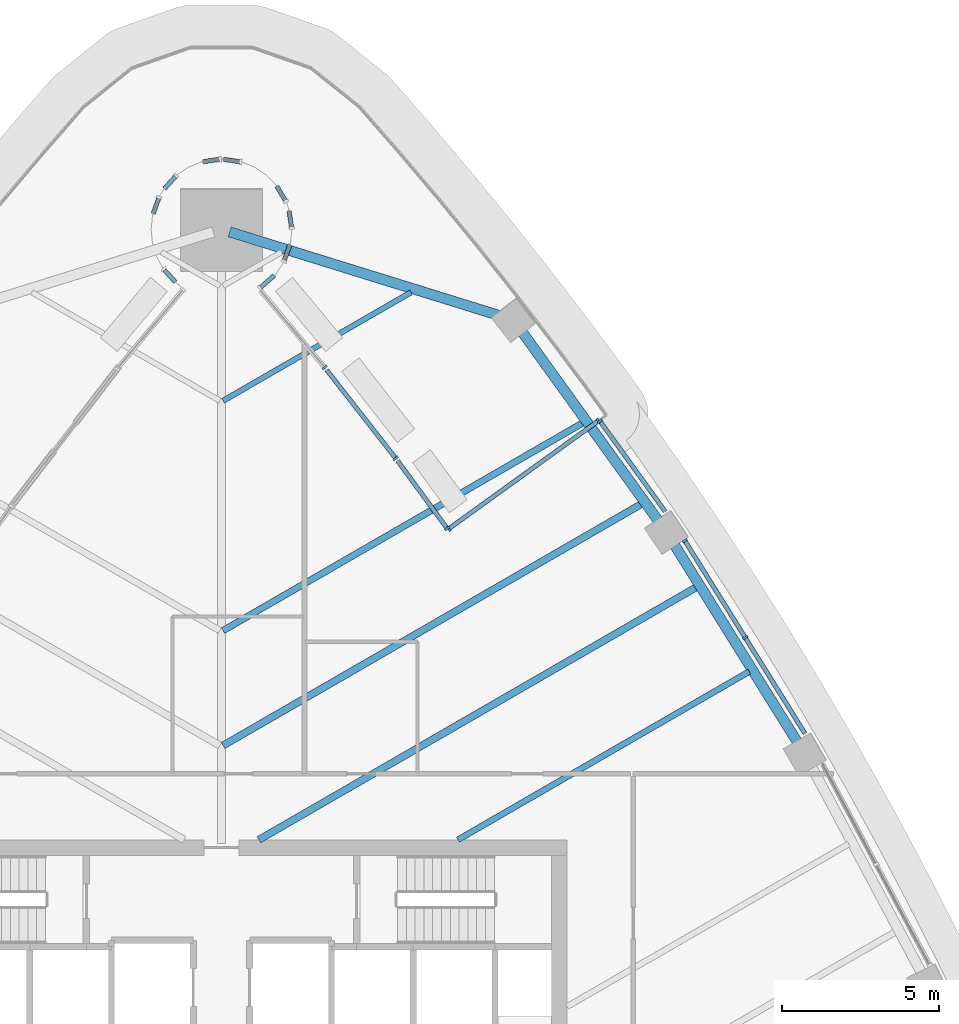
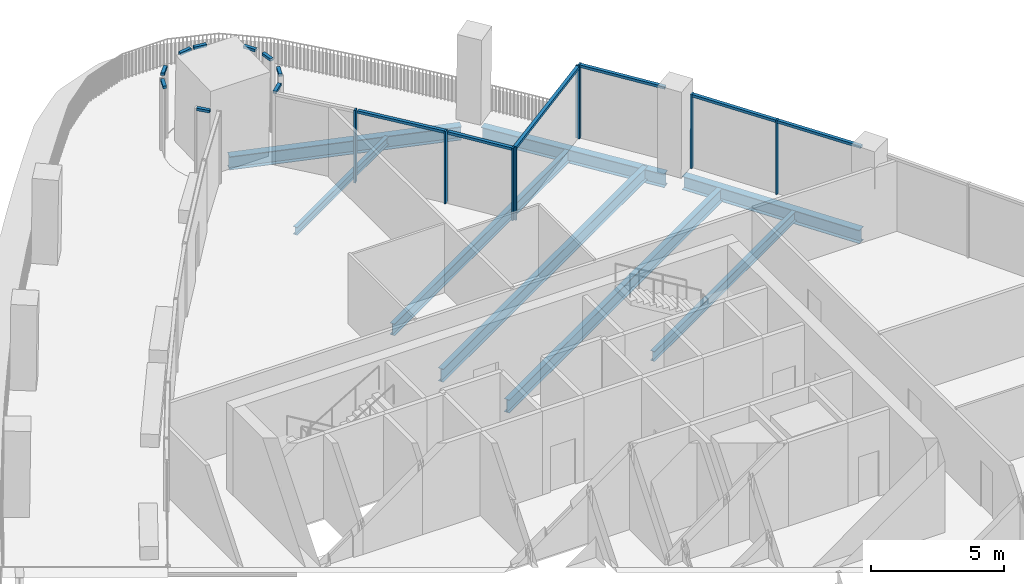
# One storey, part 7 of 19: 23 members, 8 beams, 15 elements without a shape of their own.
"""IFC4 building model written with IfcOpenShell, lengths in metres."""

from ifc_helpers import new_model, si_unit, direction, frame, origin, origin_2d, place, context, subcontext, project, spatial, rectangle, i_section, extrude, material, layer, layer_set, material_profile, profile_set, type_object, element, aggregate, save


model = new_model("IFC4")

# Units and contexts
model_context = context("Model", 3, precision=1e-05, world=origin(), true_north=direction((0.0, 1.0)))
body_context = subcontext(model_context, "Body", "Model", "MODEL_VIEW")
ifc_project = project(units=[si_unit("LENGTHUNIT", "METRE"), si_unit("AREAUNIT", "SQUARE_METRE"), si_unit("VOLUMEUNIT", "CUBIC_METRE"), si_unit("PLANEANGLEUNIT", "RADIAN"), si_unit("MASSUNIT", "GRAM", prefix="KILO")], contexts=[model_context])

# Site, building, storey
site_placement = place(None, origin())
site = spatial("IfcSite", under=ifc_project, at=site_placement, CompositionType="ELEMENT")
building_placement = place(site_placement, origin())
building = spatial("IfcBuilding", under=site, at=building_placement, Name="Sierra Prisma Convention Tower", CompositionType="ELEMENT")
storey_placement = place(building_placement, frame((0.0, 0.0, 173.800048828125)))
storey = spatial("IfcBuildingStorey", under=building, at=storey_placement, Name="L38", CompositionType="ELEMENT", Elevation=173.800048828125)

# Curtain wall, members
ifc_material_1 = material(Name="Aluminium and glass curtain wall", Category="aluminium")
ifc_layer_1 = layer(ifc_material_1, 0.179931640625)
ifc_layer_set_1 = layer_set([ifc_layer_1], Name="CW-1 Plain shaft curtain wall")
curtain_wall_type_1 = type_object("IfcCurtainWallType", Name="CW-1 Plain shaft curtain wall", PredefinedType="NOTDEFINED", material=ifc_layer_set_1)
curtain_wall_1_placement = place(storey_placement, origin())
curtain_wall_1 = element("IfcCurtainWall", 1, at=curtain_wall_1_placement, inside=storey, type_object=curtain_wall_type_1, Name="CW-1 NE4 L38", PredefinedType="NOTDEFINED")
ifc_material_2 = material(Name="Aluminium 6063-T6 bronze anodised", Category="aluminium")
ifc_material_profile_1 = material_profile(ifc_material_2, rectangle(XDim=0.179931640625, YDim=0.070068359375, at=origin_2d()), Name="ALU MULLION 70x180")
ifc_profile_set_1 = profile_set([ifc_material_profile_1], Name="Aluminium 6063-T6 bronze anodised")
member_type_1 = type_object("IfcMemberType", Name="CW mullion bronze", PredefinedType="MULLION", material=ifc_profile_set_1)
member_1_placement = place(storey_placement, frame((16.662841796875, 14.431884765625, 0.0), z_axis=(0.0, 0.0, 1.0), x_axis=(-0.848662292781, -0.528935074288, 0.0)))
member_1 = element("IfcMember", 2, at=member_1_placement, type_object=member_type_1, Name="CW-1 mullion NE4.2", PredefinedType="MULLION", context=body_context, shape_type="SweptSolid", body=[
    extrude(rectangle(XDim=0.179931640625, YDim=0.070068359375, at=origin_2d()), origin(), (0.0, 0.0, 1.0), 3.39990234375),
])
member_2_placement = place(storey_placement, frame((14.74072265625, 17.51611328125, 0.0), z_axis=(0.0, 0.0, 1.0), x_axis=(-0.848662292781, -0.528935074288, 0.0)))
member_2 = element("IfcMember", 3, at=member_2_placement, type_object=member_type_1, Name="CW-1 mullion NE4.3", PredefinedType="MULLION", context=body_context, shape_type="SweptSolid", body=[
    extrude(rectangle(XDim=0.179931640625, YDim=0.070068359375, at=origin_2d()), origin(), (0.0, 0.0, 1.0), 3.39990234375),
])

# Curtain wall, member
curtain_wall_2_placement = place(storey_placement, origin())
curtain_wall_2 = element("IfcCurtainWall", 4, at=curtain_wall_2_placement, inside=storey, type_object=curtain_wall_type_1, Name="CW-1 NE5 L38", PredefinedType="NOTDEFINED")
member_3_placement = place(storey_placement, frame((12.041748046875, 21.3212890625, 0.0), z_axis=(0.0, 0.0, 1.0), x_axis=(-0.811057786496, -0.584966039155, 0.0)))
member_3 = element("IfcMember", 5, at=member_3_placement, type_object=member_type_1, Name="CW-1 mullion NE5.2", PredefinedType="MULLION", context=body_context, shape_type="SweptSolid", body=[
    extrude(rectangle(XDim=0.179931640625, YDim=0.070068359375, at=origin_2d()), origin(), (0.0, 0.0, 1.0), 3.39990234375),
])

ifc_material_3 = material(Name="Aluminium and glass curtain wall", Category="aluminium")
ifc_layer_2 = layer(ifc_material_3, 0.179931640625)
ifc_layer_set_2 = layer_set([ifc_layer_2], Name="CW-6 Terrace recess curtain wall")
curtain_wall_type_2 = type_object("IfcCurtainWallType", Name="CW-6 Terrace recess curtain wall", PredefinedType="NOTDEFINED", material=ifc_layer_set_2)
curtain_wall_3_placement = place(storey_placement, origin())
curtain_wall_3 = element("IfcCurtainWall", 6, at=curtain_wall_3_placement, inside=storey, type_object=curtain_wall_type_2, Name="CW-6 R1 L38", PredefinedType="NOTDEFINED")
member_4_placement = place(storey_placement, frame((7.182373046875, 17.90283203125, 0.0), z_axis=(0.0, 0.0, 1.0), x_axis=(-0.806548741679, -0.591167596622, 0.0)))
member_4 = element("IfcMember", 7, at=member_4_placement, type_object=member_type_1, Name="CW-6 mullion R1.1", PredefinedType="MULLION", context=body_context, shape_type="SweptSolid", body=[
    extrude(rectangle(XDim=0.179931640625, YDim=0.070068359375, at=origin_2d()), origin(), (0.0, 0.0, 1.0), 3.33984375),
])

curtain_wall_4_placement = place(storey_placement, origin())
curtain_wall_4 = element("IfcCurtainWall", 8, at=curtain_wall_4_placement, inside=storey, type_object=curtain_wall_type_2, Name="CW-6 R2 L38", PredefinedType="NOTDEFINED")
member_5_placement = place(storey_placement, frame((5.542724609375, 20.13818359375, 0.0), z_axis=(0.0, 0.0, 1.0), x_axis=(-0.787671217608, -0.61609581475, 0.0)))
member_5 = element("IfcMember", 9, at=member_5_placement, type_object=member_type_1, Name="CW-6 mullion R2.1", PredefinedType="MULLION", context=body_context, shape_type="SweptSolid", body=[
    extrude(rectangle(XDim=0.179931640625, YDim=0.070068359375, at=origin_2d()), origin(), (0.0, 0.0, 1.0), 3.33984375),
])

curtain_wall_5_placement = place(storey_placement, origin())
curtain_wall_5 = element("IfcCurtainWall", 10, at=curtain_wall_5_placement, inside=storey, type_object=curtain_wall_type_2, Name="CW-6 R3 L38", PredefinedType="NOTDEFINED")
member_6_placement = place(storey_placement, frame((3.281982421875, 23.026611328125, 0.0), z_axis=(0.0, 0.0, 1.0), x_axis=(-0.768665744385, -0.639650665136, 0.0)))
member_6 = element("IfcMember", 11, at=member_6_placement, type_object=member_type_1, Name="CW-6 mullion R3.1", PredefinedType="MULLION", context=body_context, shape_type="SweptSolid", body=[
    extrude(rectangle(XDim=0.179931640625, YDim=0.070068359375, at=origin_2d()), origin(), (0.0, 0.0, 1.0), 3.33984375),
])
aggregate(curtain_wall_5, [member_6])

# Curtain wall, members
curtain_wall_6_placement = place(storey_placement, origin())
curtain_wall_6 = element("IfcCurtainWall", 12, at=curtain_wall_6_placement, inside=storey, type_object=curtain_wall_type_2, Name="CW-6 RT1 L38", PredefinedType="NOTDEFINED")
member_7_placement = place(storey_placement, frame((11.992919921875, 21.329345703125, 0.0), z_axis=(0.0, 0.0, 1.0), x_axis=(0.584966039155, -0.811057786496, 0.0)))
member_7 = element("IfcMember", 13, at=member_7_placement, type_object=member_type_1, Name="CW-6 mullion RT1.1", PredefinedType="MULLION", context=body_context, shape_type="SweptSolid", body=[
    extrude(rectangle(XDim=0.179931640625, YDim=0.070068359375, at=origin_2d()), origin(), (0.0, 0.0, 1.0), 3.33984375),
])
member_8_placement = place(storey_placement, frame((7.2314453125, 17.895263671875, 0.0), z_axis=(0.0, 0.0, 1.0), x_axis=(0.584966039155, -0.811057786496, 0.0)))
member_8 = element("IfcMember", 14, at=member_8_placement, type_object=member_type_1, Name="CW-6 mullion RT1.2", PredefinedType="MULLION", context=body_context, shape_type="SweptSolid", body=[
    extrude(rectangle(XDim=0.179931640625, YDim=0.070068359375, at=origin_2d()), origin(), (0.0, 0.0, 1.0), 3.33984375),
])

# Member
ifc_material_4 = material(Name="Aluminium 6063-T6 bronze anodised", Category="aluminium")
ifc_material_profile_2 = material_profile(ifc_material_4, rectangle(XDim=0.139892578125, YDim=0.1201171875, at=origin_2d()), Name="ALU TRANSOM 120x140")
ifc_profile_set_2 = profile_set([ifc_material_profile_2], Name="Aluminium 6063-T6 bronze anodised")
member_type_2 = type_object("IfcMemberType", Name="CW transom bronze", PredefinedType="USERDEFINED", material=ifc_profile_set_2)
member_9_placement = place(storey_placement, frame((18.566650390625, 11.377197265625, 3.33984375), z_axis=(-0.528927206614, 0.848667196316, 0.0), x_axis=(-0.848667196316, -0.528927206614, 0.0)))
member_9 = element("IfcMember", 15, at=member_9_placement, type_object=member_type_2, Name="CW-1 transom NE4.1", ObjectType="TRANSOM", PredefinedType="USERDEFINED", context=body_context, shape_type="SweptSolid", body=[
    extrude(rectangle(XDim=0.139892578125, YDim=0.1201171875, at=origin_2d()), origin(), (0.0, 0.0, 1.0), 3.564208984375),
])

member_10_placement = place(storey_placement, frame((16.64453125, 14.461669921875, 3.33984375), z_axis=(-0.528976537321, 0.848636449231, 0.0), x_axis=(-0.848636449231, -0.528976537321, 0.0)))
member_10 = element("IfcMember", 16, at=member_10_placement, type_object=member_type_2, Name="CW-1 transom NE4.2", ObjectType="TRANSOM", PredefinedType="USERDEFINED", context=body_context, shape_type="SweptSolid", body=[
    extrude(rectangle(XDim=0.139892578125, YDim=0.1201171875, at=origin_2d()), origin(), (0.0, 0.0, 1.0), 3.564453125),
])

aggregate(curtain_wall_1, [member_1, member_2, member_9, member_10])

member_11_placement = place(storey_placement, frame((14.11767578125, 18.44287109375, 3.33984375), z_axis=(-0.584932339055, 0.811082091238, 0.0), x_axis=(-0.811082091238, -0.584932339055, 0.0)))
member_11 = element("IfcMember", 17, at=member_11_placement, type_object=member_type_2, Name="CW-1 transom NE5.1", ObjectType="TRANSOM", PredefinedType="USERDEFINED", context=body_context, shape_type="SweptSolid", body=[
    extrude(rectangle(XDim=0.139892578125, YDim=0.1201171875, at=origin_2d()), origin(), (0.0, 0.0, 1.0), 3.513916015625),
])

aggregate(curtain_wall_2, [member_3, member_11])

member_12_placement = place(storey_placement, frame((7.16162109375, 17.93115234375, 3.280029296875), z_axis=(-0.59117868727, 0.806540612566, 0.0), x_axis=(-0.806540612566, -0.59117868727, 0.0)))
member_12 = element("IfcMember", 18, at=member_12_placement, type_object=member_type_2, Name="CW-6 transom R1.1", ObjectType="TRANSOM", PredefinedType="USERDEFINED", context=body_context, shape_type="SweptSolid", body=[
    extrude(rectangle(XDim=0.139892578125, YDim=0.1201171875, at=origin_2d()), origin(), (0.0, 0.0, 1.0), 2.63232421875),
])

aggregate(curtain_wall_3, [member_4, member_12])

member_13_placement = place(storey_placement, frame((5.52099609375, 20.165771484375, 3.280029296875), z_axis=(-0.616065648748, 0.787694811734, 0.0), x_axis=(-0.787694811734, -0.616065648748, 0.0)))
member_13 = element("IfcMember", 19, at=member_13_placement, type_object=member_type_2, Name="CW-6 transom R2.1", ObjectType="TRANSOM", PredefinedType="USERDEFINED", context=body_context, shape_type="SweptSolid", body=[
    extrude(rectangle(XDim=0.139892578125, YDim=0.1201171875, at=origin_2d()), origin(), (0.0, 0.0, 1.0), 3.52783203125),
])

aggregate(curtain_wall_4, [member_5, member_13])

# Curtain wall, member
curtain_wall_7_placement = place(storey_placement, origin())
curtain_wall_7 = element("IfcCurtainWall", 20, at=curtain_wall_7_placement, inside=storey, type_object=curtain_wall_type_2, Name="CW-6 R4 L38", PredefinedType="NOTDEFINED")
member_14_placement = place(storey_placement, frame((1.249755859375, 25.578125, 3.280029296875), z_axis=(0.750849451921, 0.660473391251, 0.0), x_axis=(-0.660473391251, 0.750849451921, 0.0)))
member_14 = element("IfcMember", 21, at=member_14_placement, type_object=member_type_2, Name="CW-6 transom R4.1", ObjectType="TRANSOM", PredefinedType="USERDEFINED", context=body_context, shape_type="SweptSolid", body=[
    extrude(rectangle(XDim=0.139892578125, YDim=0.1201171875, at=origin_2d()), origin(), (0.0, 0.0, 1.0), 0.570068359375),
])
aggregate(curtain_wall_7, [member_14])

curtain_wall_8_placement = place(storey_placement, origin())
curtain_wall_8 = element("IfcCurtainWall", 22, at=curtain_wall_8_placement, inside=storey, type_object=curtain_wall_type_2, Name="CW-6 R6 L38", PredefinedType="NOTDEFINED")
member_15_placement = place(storey_placement, frame((1.997802734375, 26.431640625, 3.280029296875), z_axis=(0.33684512251, 0.94156006895, 0.0), x_axis=(-0.94156006895, 0.33684512251, 0.0)))
member_15 = element("IfcMember", 23, at=member_15_placement, type_object=member_type_2, Name="CW-6 transom R6.1", ObjectType="TRANSOM", PredefinedType="USERDEFINED", context=body_context, shape_type="SweptSolid", body=[
    extrude(rectangle(XDim=0.139892578125, YDim=0.1201171875, at=origin_2d()), origin(), (0.0, 0.0, 1.0), 0.516845703125),
])
aggregate(curtain_wall_8, [member_15])

curtain_wall_9_placement = place(storey_placement, origin())
curtain_wall_9 = element("IfcCurtainWall", 24, at=curtain_wall_9_placement, inside=storey, type_object=curtain_wall_type_2, Name="CW-6 R8 L38", PredefinedType="NOTDEFINED")
member_16_placement = place(storey_placement, frame((2.228271484375, 27.490234375, 3.280029296875), z_axis=(-0.146908162528, 0.989150136118, 0.0), x_axis=(-0.989150136118, -0.146908162528, 0.0)))
member_16 = element("IfcMember", 25, at=member_16_placement, type_object=member_type_2, Name="CW-6 transom R8.1", ObjectType="TRANSOM", PredefinedType="USERDEFINED", context=body_context, shape_type="SweptSolid", body=[
    extrude(rectangle(XDim=0.139892578125, YDim=0.1201171875, at=origin_2d()), origin(), (0.0, 0.0, 1.0), 0.516845703125),
])
aggregate(curtain_wall_9, [member_16])

curtain_wall_10_placement = place(storey_placement, origin())
curtain_wall_10 = element("IfcCurtainWall", 26, at=curtain_wall_10_placement, inside=storey, type_object=curtain_wall_type_2, Name="CW-6 R10 L38", PredefinedType="NOTDEFINED")
member_17_placement = place(storey_placement, frame((2.031982421875, 28.337646484375, 3.280029296875), z_axis=(-0.5139399165, 0.857826184158, 0.0), x_axis=(-0.857826184158, -0.5139399165, 0.0)))
member_17 = element("IfcMember", 27, at=member_17_placement, type_object=member_type_2, Name="CW-6 transom R10.1", ObjectType="TRANSOM", PredefinedType="USERDEFINED", context=body_context, shape_type="SweptSolid", body=[
    extrude(rectangle(XDim=0.139892578125, YDim=0.1201171875, at=origin_2d()), origin(), (0.0, 0.0, 1.0), 0.516845703125),
])
aggregate(curtain_wall_10, [member_17])

curtain_wall_11_placement = place(storey_placement, origin())
curtain_wall_11 = element("IfcCurtainWall", 28, at=curtain_wall_11_placement, inside=storey, type_object=curtain_wall_type_2, Name="CW-6 R14 L38", PredefinedType="NOTDEFINED")
member_18_placement = place(storey_placement, frame((0.58056640625, 29.5732421875, 3.280029296875), z_axis=(-0.989150136118, 0.146908162528, 0.0), x_axis=(-0.146908162528, -0.989150136118, 0.0)))
member_18 = element("IfcMember", 29, at=member_18_placement, type_object=member_type_2, Name="CW-6 transom R14.1", ObjectType="TRANSOM", PredefinedType="USERDEFINED", context=body_context, shape_type="SweptSolid", body=[
    extrude(rectangle(XDim=0.139892578125, YDim=0.1201171875, at=origin_2d()), origin(), (0.0, 0.0, 1.0), 0.516845703125),
])
aggregate(curtain_wall_11, [member_18])

curtain_wall_12_placement = place(storey_placement, origin())
curtain_wall_12 = element("IfcCurtainWall", 30, at=curtain_wall_12_placement, inside=storey, type_object=curtain_wall_type_2, Name="CW-6 R15 L38", PredefinedType="NOTDEFINED")
member_19_placement = place(storey_placement, frame((-0.0693359375, 29.649169921875, 3.280029296875), z_axis=(-0.989150136118, -0.146908162528, 0.0), x_axis=(0.146908162528, -0.989150136118, 0.0)))
member_19 = element("IfcMember", 31, at=member_19_placement, type_object=member_type_2, Name="CW-6 transom R15.1", ObjectType="TRANSOM", PredefinedType="USERDEFINED", context=body_context, shape_type="SweptSolid", body=[
    extrude(rectangle(XDim=0.139892578125, YDim=0.1201171875, at=origin_2d()), origin(), (0.0, 0.0, 1.0), 0.516845703125),
])
aggregate(curtain_wall_12, [member_19])

curtain_wall_13_placement = place(storey_placement, origin())
curtain_wall_13 = element("IfcCurtainWall", 32, at=curtain_wall_13_placement, inside=storey, type_object=curtain_wall_type_2, Name="CW-6 R18 L38", PredefinedType="NOTDEFINED")
member_20_placement = place(storey_placement, frame((-1.467041015625, 29.099365234375, 3.280029296875), z_axis=(-0.671543733378, -0.740964921006, 0.0), x_axis=(0.740964921006, -0.671543733378, 0.0)))
member_20 = element("IfcMember", 33, at=member_20_placement, type_object=member_type_2, Name="CW-6 transom R18.1", ObjectType="TRANSOM", PredefinedType="USERDEFINED", context=body_context, shape_type="SweptSolid", body=[
    extrude(rectangle(XDim=0.139892578125, YDim=0.1201171875, at=origin_2d()), origin(), (0.0, 0.0, 1.0), 0.51708984375),
])
aggregate(curtain_wall_13, [member_20])

curtain_wall_14_placement = place(storey_placement, origin())
curtain_wall_14 = element("IfcCurtainWall", 34, at=curtain_wall_14_placement, inside=storey, type_object=curtain_wall_type_2, Name="CW-6 R20 L38", PredefinedType="NOTDEFINED")
member_21_placement = place(storey_placement, frame((-1.997802734375, 28.41015625, 3.280029296875), z_axis=(-0.33684512251, -0.94156006895, 0.0), x_axis=(0.94156006895, -0.33684512251, 0.0)))
member_21 = element("IfcMember", 35, at=member_21_placement, type_object=member_type_2, Name="CW-6 transom R20.1", ObjectType="TRANSOM", PredefinedType="USERDEFINED", context=body_context, shape_type="SweptSolid", body=[
    extrude(rectangle(XDim=0.139892578125, YDim=0.1201171875, at=origin_2d()), origin(), (0.0, 0.0, 1.0), 0.516845703125),
])
aggregate(curtain_wall_14, [member_21])

curtain_wall_15_placement = place(storey_placement, origin())
curtain_wall_15 = element("IfcCurtainWall", 36, at=curtain_wall_15_placement, inside=storey, type_object=curtain_wall_type_2, Name="CW-6 R25 L38", PredefinedType="NOTDEFINED")
member_22_placement = place(storey_placement, frame((-1.814208984375, 26.12548828125, 3.280029296875), z_axis=(0.671543733378, -0.740964921006, 0.0), x_axis=(0.740964921006, 0.671543733378, 0.0)))
member_22 = element("IfcMember", 37, at=member_22_placement, type_object=member_type_2, Name="CW-6 transom R25.1", ObjectType="TRANSOM", PredefinedType="USERDEFINED", context=body_context, shape_type="SweptSolid", body=[
    extrude(rectangle(XDim=0.139892578125, YDim=0.1201171875, at=origin_2d()), origin(), (0.0, 0.0, 1.0), 0.51708984375),
])
aggregate(curtain_wall_15, [member_22])

# Member
member_23_placement = place(storey_placement, frame((11.96435546875, 21.308837890625, 3.280029296875), z_axis=(-0.811043097785, -0.584986404573, 0.0), x_axis=(0.584986404573, -0.811043097785, 0.0)))
member_23 = element("IfcMember", 38, at=member_23_placement, type_object=member_type_2, Name="CW-6 transom RT1.1", ObjectType="TRANSOM", PredefinedType="USERDEFINED", context=body_context, shape_type="SweptSolid", body=[
    extrude(rectangle(XDim=0.139892578125, YDim=0.1201171875, at=origin_2d()), origin(), (0.0, 0.0, 1.0), 5.80078125),
])

aggregate(curtain_wall_6, [member_7, member_8, member_23])

# Beams
ifc_material_5 = material(Name="Steel ASTM A992 Gr 50", Category="steel")
ifc_material_profile_3 = material_profile(ifc_material_5, i_section(OverallWidth=0.172119140625, OverallDepth=0.35791015625, WebThickness=0.0078125, FlangeThickness=0.01318359375, at=origin_2d()), Name="W360x57")
ifc_profile_set_3 = profile_set([ifc_material_profile_3], Name="Steel ASTM A992 Gr 50")
beam_type_1 = type_object("IfcBeamType", Name="Floor joist W360x57", PredefinedType="JOIST", material=ifc_profile_set_3)
beam_1_placement = place(storey_placement, frame((6.03076171875, 25.41845703125, -0.47900390625), z_axis=(-0.86603485748, -0.499983625362, 0.0), x_axis=(0.499983625362, -0.86603485748, 0.0)))
element("IfcBeam", 39, at=beam_1_placement, inside=storey, type_object=beam_type_1, Name="Floor joist L38 NE14", PredefinedType="JOIST", context=body_context, shape_type="SweptSolid", body=[
    extrude(i_section(OverallWidth=0.172119140625, OverallDepth=0.35791015625, WebThickness=0.0078125, FlangeThickness=0.01318359375, at=origin_2d()), origin(), (0.0, 0.0, 1.0), 6.905029296875),
])
ifc_material_6 = material(Name="Steel ASTM A992 Gr 50", Category="steel")
ifc_material_profile_4 = material_profile(ifc_material_6, i_section(OverallWidth=0.18994140625, OverallDepth=0.45703125, WebThickness=0.009033203125, FlangeThickness=0.014404296875, at=origin_2d()), Name="W460x74")
ifc_profile_set_4 = profile_set([ifc_material_profile_4], Name="Steel ASTM A992 Gr 50")
beam_type_2 = type_object("IfcBeamType", Name="Floor joist W460x74", PredefinedType="JOIST", material=ifc_profile_set_4)
beam_2_placement = place(storey_placement, frame((16.7919921875, 13.350830078125, -0.378662109375), z_axis=(-0.866029067825, -0.499993653641, 0.0), x_axis=(0.499993653641, -0.866029067825, 0.0)))
element("IfcBeam", 40, at=beam_2_placement, inside=storey, type_object=beam_type_2, Name="Floor joist L38 NE09", PredefinedType="JOIST", context=body_context, shape_type="SweptSolid", body=[
    extrude(i_section(OverallWidth=0.18994140625, OverallDepth=0.45703125, WebThickness=0.009033203125, FlangeThickness=0.014404296875, at=origin_2d()), origin(), (0.0, 0.0, 1.0), 10.701904296875),
])
ifc_material_7 = material(Name="Steel ASTM A992 Gr 50", Category="steel")
ifc_material_profile_5 = material_profile(ifc_material_7, i_section(OverallWidth=0.208984375, OverallDepth=0.532958984375, WebThickness=0.01025390625, FlangeThickness=0.015625, at=origin_2d()), Name="W530x92")
ifc_profile_set_5 = profile_set([ifc_material_profile_5], Name="Steel ASTM A992 Gr 50")
beam_type_3 = type_object("IfcBeamType", Name="Floor joist W530x92", PredefinedType="JOIST", material=ifc_profile_set_5)
beam_3_placement = place(storey_placement, frame((11.509033203125, 21.269287109375, -0.566650390625), z_axis=(-0.866023647427, -0.500003042088, 0.0), x_axis=(0.500003042088, -0.866023647427, 0.0)))
element("IfcBeam", 41, at=beam_3_placement, inside=storey, type_object=beam_type_3, Name="Floor joist L38 NE12", PredefinedType="JOIST", context=body_context, shape_type="SweptSolid", body=[
    extrude(i_section(OverallWidth=0.208984375, OverallDepth=0.532958984375, WebThickness=0.01025390625, FlangeThickness=0.015625, at=origin_2d()), origin(), (0.0, 0.0, 1.0), 13.23095703125),
])
ifc_material_8 = material(Name="Steel ASTM A992 Gr 50", Category="steel")
ifc_material_profile_6 = material_profile(ifc_material_8, i_section(OverallWidth=0.22802734375, OverallDepth=0.60302734375, WebThickness=0.010498046875, FlangeThickness=0.014892578125, at=origin_2d()), Name="W610x101")
ifc_profile_set_6 = profile_set([ifc_material_profile_6], Name="Steel ASTM A992 Gr 50")
beam_type_4 = type_object("IfcBeamType", Name="Floor joist W610x101", PredefinedType="JOIST", material=ifc_profile_set_6)
beam_4_placement = place(storey_placement, frame((15.1162109375, 16.03955078125, -0.45166015625), z_axis=(-0.866027555699, -0.499996272756, 0.0), x_axis=(0.499996272756, -0.866027555699, 0.0)))
element("IfcBeam", 42, at=beam_4_placement, inside=storey, type_object=beam_type_4, Name="Floor joist L38 NE10", PredefinedType="JOIST", context=body_context, shape_type="SweptSolid", body=[
    extrude(i_section(OverallWidth=0.22802734375, OverallDepth=0.60302734375, WebThickness=0.010498046875, FlangeThickness=0.014892578125, at=origin_2d()), origin(), (0.0, 0.0, 1.0), 16.0791015625),
])
beam_5_placement = place(storey_placement, frame((13.37060546875, 18.68798828125, -0.45166015625), z_axis=(-0.866025926071, -0.499999095372, 0.0), x_axis=(0.499999095372, -0.866025926071, 0.0)))
element("IfcBeam", 43, at=beam_5_placement, inside=storey, type_object=beam_type_4, Name="Floor joist L38 NE11", PredefinedType="JOIST", context=body_context, shape_type="SweptSolid", body=[
    extrude(i_section(OverallWidth=0.22802734375, OverallDepth=0.60302734375, WebThickness=0.010498046875, FlangeThickness=0.014892578125, at=origin_2d()), origin(), (0.0, 0.0, 1.0), 15.38037109375),
])
ifc_material_9 = material(Name="Steel ASTM A992 Gr 50", Category="steel")
ifc_material_profile_7 = material_profile(ifc_material_9, i_section(OverallWidth=0.324951171875, OverallDepth=0.615966796875, WebThickness=0.013916015625, FlangeThickness=0.021484375, at=origin_2d()), Name="W610x174")
ifc_profile_set_7 = profile_set([ifc_material_profile_7], Name="Steel ASTM A992 Gr 50")
beam_type_5 = type_object("IfcBeamType", Name="Spandrel beam W610x174", PredefinedType="BEAM", material=ifc_profile_set_7)
beam_6_placement = place(storey_placement, frame((18.364013671875, 11.041259765625, -0.4580078125), z_axis=(-0.528937008664, 0.848661087164, 0.0), x_axis=(-0.848661087164, -0.528937008664, 0.0)))
element("IfcBeam", 44, at=beam_6_placement, inside=storey, type_object=beam_type_5, Name="Spandrel L38-10", PredefinedType="BEAM", context=body_context, shape_type="SweptSolid", body=[
    extrude(i_section(OverallWidth=0.324951171875, OverallDepth=0.615966796875, WebThickness=0.013916015625, FlangeThickness=0.021484375, at=origin_2d()), origin(), (0.0, 0.0, 1.0), 7.56640625),
])
beam_7_placement = place(storey_placement, frame((13.938232421875, 18.093994140625, -0.608154296875), z_axis=(-0.584970915565, 0.811054269419, 0.0), x_axis=(-0.811054269419, -0.584970915565, 0.0)))
element("IfcBeam", 45, at=beam_7_placement, inside=storey, type_object=beam_type_5, Name="Spandrel L38-11", PredefinedType="BEAM", context=body_context, shape_type="SweptSolid", body=[
    extrude(i_section(OverallWidth=0.324951171875, OverallDepth=0.615966796875, WebThickness=0.013916015625, FlangeThickness=0.021484375, at=origin_2d()), origin(), (0.0, 0.0, 1.0), 7.566650390625),
])
beam_8_placement = place(storey_placement, frame((8.82080078125, 24.684814453125, -0.608154296875), z_axis=(-0.955104541971, 0.296268989107, 0.0), x_axis=(-0.296268989107, -0.955104541971, 0.0)))
element("IfcBeam", 46, at=beam_8_placement, inside=storey, type_object=beam_type_5, Name="Spandrel L38-12", PredefinedType="BEAM", context=body_context, shape_type="SweptSolid", body=[
    extrude(i_section(OverallWidth=0.324951171875, OverallDepth=0.615966796875, WebThickness=0.013916015625, FlangeThickness=0.021484375, at=origin_2d()), origin(), (0.0, 0.0, 1.0), 8.963134765625),
])

save(model, "model.ifc")
